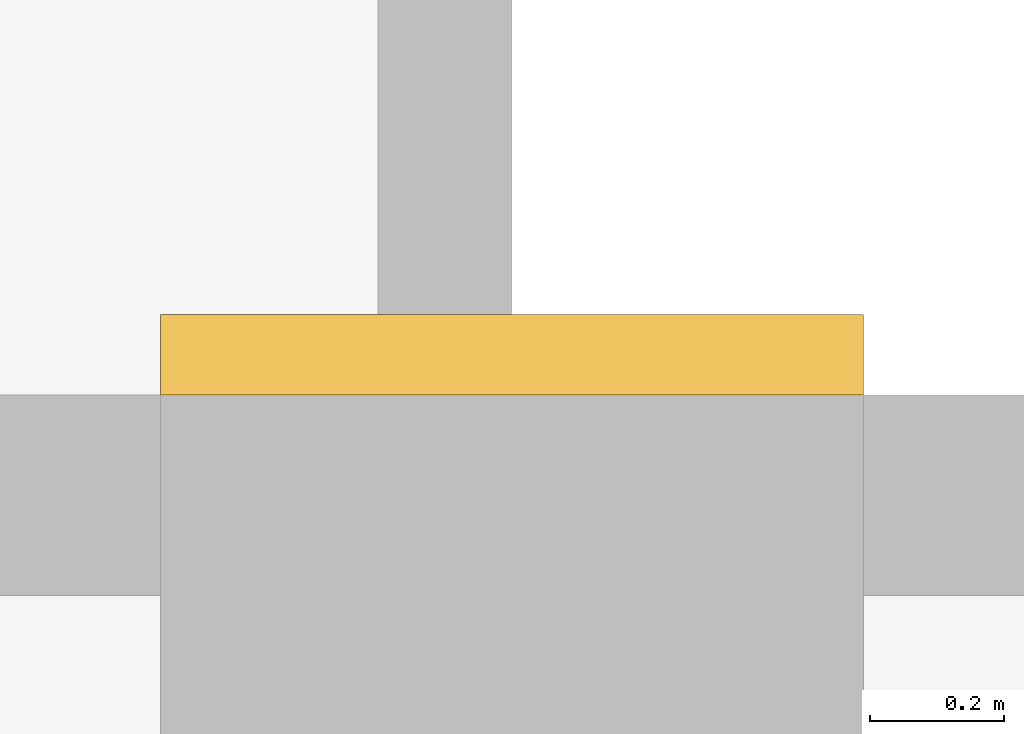
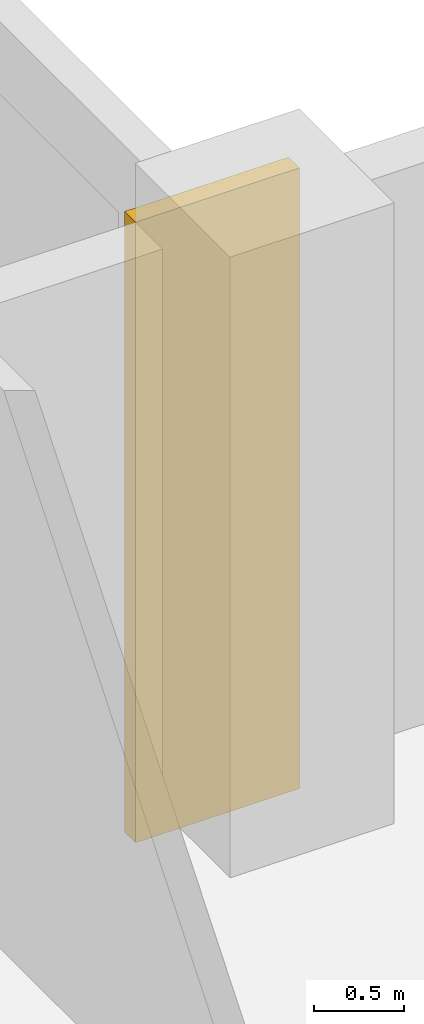
# One storey, part 14 of 14: 1 covering.
"""IFC4 building model written with IfcOpenShell, lengths in metres."""

import ifcopenshell
import ifcopenshell.guid

model = None  # the IFC model being written
_history = None  # IfcOwnerHistory: only IFC2X3 demands one
_inside = {}  # id of a spatial element -> (the spatial element, [elements in it])
_under = {}  # id of a project, library or spatial element -> (it, [spatial elements below it])
_declared = {}  # id of a project -> (the project, [libraries it declares])
_typed = {}  # id of a type object -> (the type object, [elements of that type])
_made_of = {}  # id of a material, layer set ... -> (it, [elements and type objects made of it])


def new_model(schema):
    """Start an empty IFC model of exactly this schema.

    Asked for "IFC4X3", IfcOpenShell would pick the latest addendum, in which some entities
    have other attributes; the version numbers below select the first issue.
    IFC2X3 requires an IfcOwnerHistory on every rooted entity: one is made here for all.
    """
    global model, _history
    if schema == "IFC4X3":
        model = ifcopenshell.file(schema_version=(4, 3, 0, 0))
    else:
        model = ifcopenshell.file(schema=schema)
    _inside.clear()
    _under.clear()
    _declared.clear()
    _typed.clear()
    _made_of.clear()
    _history = None
    if model.schema == "IFC2X3":
        org = make("IfcOrganization", Name="unknown")
        user = make(
            "IfcPersonAndOrganization",
            ThePerson=make("IfcPerson", FamilyName="unknown"),
            TheOrganization=org,
        )
        app = make(
            "IfcApplication",
            ApplicationDeveloper=org,
            Version="unknown",
            ApplicationFullName="unknown",
            ApplicationIdentifier="unknown",
        )
        _history = make(
            "IfcOwnerHistory",
            OwningUser=user,
            OwningApplication=app,
            ChangeAction="ADDED",
            CreationDate=0,
        )
    return model


def make(cls, **values):
    """One entity of the class cls with the attributes given. An attribute that is None is left unset."""
    return model.create_entity(
        cls, **{name: value for name, value in values.items() if value is not None}
    )


def rooted(cls, **values):
    """An entity with a GlobalId (a new one), such as an element, a storey or a relation."""
    return make(cls, GlobalId=ifcopenshell.guid.new(), OwnerHistory=_history, **values)


def si_unit(unit_type, name, prefix=None):
    """IfcSIUnit, for example si_unit("LENGTHUNIT", "METRE", prefix="MILLI")."""
    return make("IfcSIUnit", UnitType=unit_type, Prefix=prefix, Name=name)


def assignment(units):
    """IfcUnitAssignment: the units of a project."""
    return None if units is None else make("IfcUnitAssignment", Units=units)


def point(xyz):
    """IfcCartesianPoint."""
    return None if xyz is None else make("IfcCartesianPoint", Coordinates=xyz)


def direction(xyz):
    """IfcDirection."""
    return None if xyz is None else make("IfcDirection", DirectionRatios=xyz)


def frame(location, z_axis=None, x_axis=None):
    """IfcAxis2Placement3D, a coordinate frame: its origin and axes. An axis left out is left unset."""
    return make(
        "IfcAxis2Placement3D",
        Location=point(location),
        Axis=direction(z_axis),
        RefDirection=direction(x_axis),
    )


def frame_2d(location, x_axis=None):
    """IfcAxis2Placement2D, a coordinate frame in the plane: its origin and x axis."""
    return make(
        "IfcAxis2Placement2D", Location=point(location), RefDirection=direction(x_axis)
    )


def origin():
    """The frame at (0, 0, 0) with its axes left unset."""
    return frame((0.0, 0.0, 0.0))


def origin_2d():
    """The frame at (0, 0) in the plane with its x axis left unset."""
    return frame_2d((0.0, 0.0))


def place(relative_to, where):
    """IfcLocalPlacement: puts the frame where relative to a parent placement (None: the world)."""
    return make(
        "IfcLocalPlacement", PlacementRelTo=relative_to, RelativePlacement=where
    )


def context(
    kind, dimensions, precision=None, world=None, true_north=None, identifier=None
):
    """IfcGeometricRepresentationContext, for example the 3D "Model" context."""
    return make(
        "IfcGeometricRepresentationContext",
        ContextIdentifier=identifier,
        ContextType=kind,
        CoordinateSpaceDimension=dimensions,
        Precision=precision,
        WorldCoordinateSystem=world,
        TrueNorth=true_north,
    )


def subcontext(parent, identifier, kind, view, scale=None):
    """IfcGeometricRepresentationSubContext, for example "Body" below "Model"."""
    return make(
        "IfcGeometricRepresentationSubContext",
        ContextIdentifier=identifier,
        ContextType=kind,
        ParentContext=parent,
        TargetScale=scale,
        TargetView=view,
    )


def project(units=None, contexts=None):
    """IfcProject with its units and contexts."""
    return rooted(
        "IfcProject",
        Name="project",
        RepresentationContexts=contexts,
        UnitsInContext=assignment(units),
    )


def spatial(cls, under=None, at=None, **own):
    """A site, building, storey or space (cls), placed at a placement, below another one or the project."""
    s = rooted(cls, ObjectPlacement=at, **own)
    if under is not None:
        _under.setdefault(under.id(), (under, []))[1].append(s)
    return s


def profile(cls, at=None, kind="AREA", **sizes):
    """A parametric profile (cls). Its sizes go by their IFC names, for example OverallWidth=200.0."""
    return make(cls, ProfileType=kind, Position=at, **sizes)


def rectangle(**sizes):
    """IfcRectangleProfileDef."""
    return profile("IfcRectangleProfileDef", **sizes)


def extrude(swept, where, along, depth):
    """IfcExtrudedAreaSolid: the profile swept, set in the frame where, extruded along a direction by depth."""
    return make(
        "IfcExtrudedAreaSolid",
        SweptArea=swept,
        Position=where,
        ExtrudedDirection=direction(along),
        Depth=depth,
    )


def shape(context_of_items, identifier, shape_type, items):
    """IfcShapeRepresentation: the items that make up one representation, for example the "Body"."""
    return make(
        "IfcShapeRepresentation",
        ContextOfItems=context_of_items,
        RepresentationIdentifier=identifier,
        RepresentationType=shape_type,
        Items=items,
    )


def source(mapping_origin, context_of_items, identifier, shape_type, items):
    """IfcRepresentationMap: a shape defined once, which mapped items show again and again."""
    return make(
        "IfcRepresentationMap",
        MappingOrigin=mapping_origin,
        MappedRepresentation=shape(context_of_items, identifier, shape_type, items),
    )


def transform(
    local_origin,
    x_axis=None,
    y_axis=None,
    z_axis=None,
    scale=None,
    scale2=None,
    scale3=None,
    uniform=True,
):
    """IfcCartesianTransformationOperator3D, or its non-uniform kind. x_axis, y_axis, z_axis: its Axis1, 2, 3."""
    if uniform:
        return make(
            "IfcCartesianTransformationOperator3D",
            Axis1=direction(x_axis),
            Axis2=direction(y_axis),
            LocalOrigin=point(local_origin),
            Scale=scale,
            Axis3=direction(z_axis),
        )
    return make(
        "IfcCartesianTransformationOperator3DnonUniform",
        Axis1=direction(x_axis),
        Axis2=direction(y_axis),
        LocalOrigin=point(local_origin),
        Scale=scale,
        Axis3=direction(z_axis),
        Scale2=scale2,
        Scale3=scale3,
    )


def mapped(mapping_source, mapping_target):
    """IfcMappedItem: shows the shape of a source again, moved by a transform."""
    return make(
        "IfcMappedItem", MappingSource=mapping_source, MappingTarget=mapping_target
    )


def material(Name=None, Category=None):
    """IfcMaterial."""
    return make("IfcMaterial", Name=Name, Category=Category)


def made_of(thing, what):
    """Note that an element or type object is made of a material, layer set ...; save() writes the relation."""
    if what is not None:
        _made_of.setdefault(what.id(), (what, []))[1].append(thing)
    return thing


def type_object(cls, material=None, **own):
    """A type object (cls), such as IfcWallType, which elements share."""
    return made_of(rooted(cls, **own), material)


def element(
    cls,
    number,
    at=None,
    inside=None,
    cuts=None,
    type_object=None,
    material=None,
    context=None,
    identifier="Body",
    shape_type=None,
    held_by="IfcProductDefinitionShape",
    body=None,
    shapes=None,
    **own,
):
    """One element of the class cls, such as IfcWall. Its Tag is "e" and its number.

    at: its placement. inside: the storey or other place that contains it. cuts: it is an
    opening in that element (IfcRelVoidsElement). A single representation is given by context,
    identifier, shape_type and body (its items); several are given by shapes. held_by: the class
    of the entity that holds the representations. save() writes the other relations.
    """
    e = rooted(cls, Tag="e%d" % number, ObjectPlacement=at, **own)
    if body is not None:
        shapes = [shape(context, identifier, shape_type, body)]
    if shapes is not None:
        e.Representation = make(held_by, Representations=shapes)
    if inside is not None:
        _inside.setdefault(inside.id(), (inside, []))[1].append(e)
    if cuts is not None:
        rooted(
            "IfcRelVoidsElement", RelatingBuildingElement=cuts, RelatedOpeningElement=e
        )
    if type_object is not None:
        _typed.setdefault(type_object.id(), (type_object, []))[1].append(e)
    return made_of(e, material)


def aggregate(whole, parts):
    """IfcRelAggregates: a whole, such as a stair, and the parts it consists of."""
    return rooted("IfcRelAggregates", RelatingObject=whole, RelatedObjects=parts)


def save(model, path):
    """Write the relations noted so far, then the file.

    IfcRelAggregates (storeys below a building ...), IfcRelContainedInSpatialStructure (elements
    in a storey), IfcRelDefinesByType, IfcRelAssociatesMaterial and IfcRelDeclares: one each for
    every whole, place, type object, material and project.
    """
    for whole, parts in _under.values():
        aggregate(whole, parts)
    for where, things in _inside.values():
        rooted(
            "IfcRelContainedInSpatialStructure",
            RelatedElements=things,
            RelatingStructure=where,
        )
    for kind, things in _typed.values():
        rooted("IfcRelDefinesByType", RelatedObjects=things, RelatingType=kind)
    for what, things in _made_of.values():
        rooted("IfcRelAssociatesMaterial", RelatedObjects=things, RelatingMaterial=what)
    for by, libraries in _declared.values():
        rooted("IfcRelDeclares", RelatingContext=by, RelatedDefinitions=libraries)
    model.write(path)


model = new_model("IFC4")

# Units and contexts
model_context = context("Model", 3, precision=1e-05, world=origin(), true_north=direction((0.0, 1.0)))
body_context = subcontext(model_context, "Body", "Model", "MODEL_VIEW")
ifc_project = project(units=[si_unit("LENGTHUNIT", "METRE"), si_unit("AREAUNIT", "SQUARE_METRE"), si_unit("VOLUMEUNIT", "CUBIC_METRE"), si_unit("PLANEANGLEUNIT", "RADIAN"), si_unit("MASSUNIT", "GRAM", prefix="KILO")], contexts=[model_context])

# Site, building, storey
site_placement = place(None, origin())
site = spatial("IfcSite", under=ifc_project, at=site_placement, CompositionType="ELEMENT")
building_placement = place(site_placement, origin())
building = spatial("IfcBuilding", under=site, at=building_placement, Name="Aurelian Terraces", CompositionType="ELEMENT")
storey_placement = place(building_placement, frame((0.0, 0.0, 111.9)))
storey = spatial("IfcBuildingStorey", under=building, at=storey_placement, Name="L24", CompositionType="ELEMENT", Elevation=111.9)

# Covering
ifc_material = material(Name="Terracotta rainscreen cladding relief", Category="masonry")
covering_type = type_object("IfcCoveringType", Name="BAGUETTE-TC", PredefinedType="CLADDING", material=ifc_material)
shared_shape = source(origin(), body_context, "Body", "SweptSolid", [
    extrude(rectangle(XDim=1.05, YDim=0.12, at=origin_2d()), origin(), (0.0, 0.0, 1.0), 4.2),
])
covering_placement = place(storey_placement, frame((63.84, 21.06, -0.4), z_axis=(0.0, 0.0, 1.0), x_axis=(1.0, 0.0, 0.0)))
element("IfcCovering", 1, at=covering_placement, inside=storey, type_object=covering_type, Name="BAGUETTE pier L24 9", PredefinedType="CLADDING", context=body_context, shape_type="MappedRepresentation", body=[
    mapped(shared_shape, transform((0.0, 0.0, 0.0), scale=1.0)),
])

save(model, "model.ifc")
